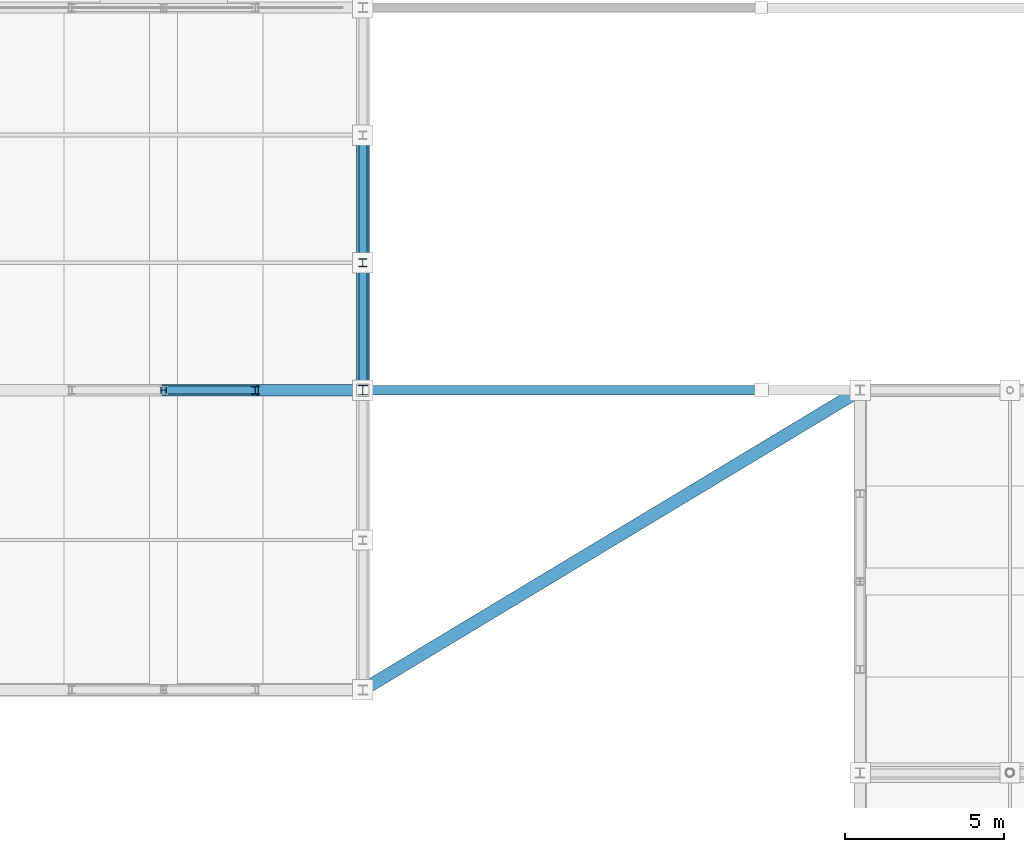
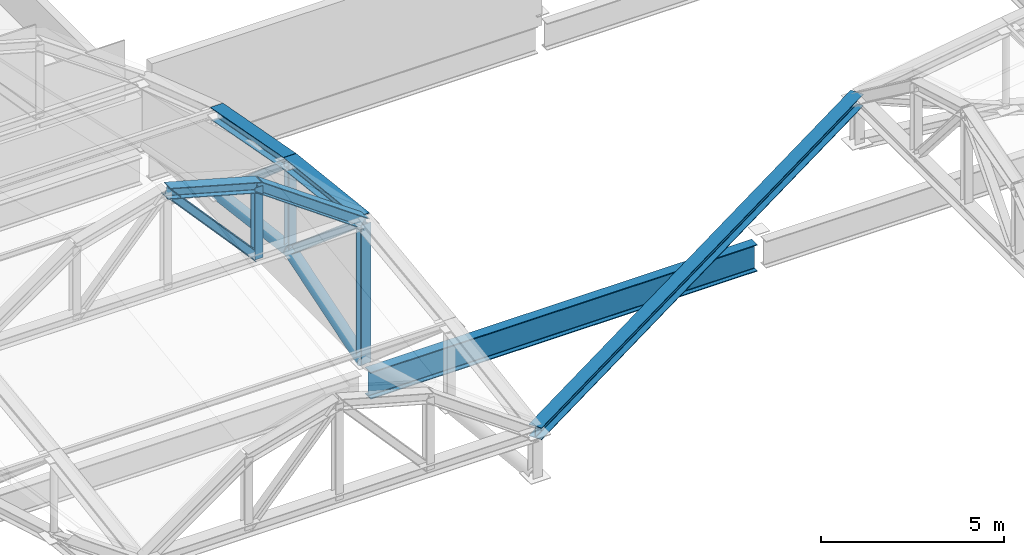
# One storey, part 71 of 117: 13 members, 1 beam.
"""IFC4 building model written with IfcOpenShell, lengths in metres."""

from ifc_helpers import new_model, si_unit, direction, frame, origin, origin_2d, place, context, subcontext, project, spatial, hollow_circle, i_section, extrude, material, material_profile, profile_set, type_object, element, save


model = new_model("IFC4")

# Units and contexts
model_context = context("Model", 3, precision=1e-05, world=origin(), true_north=direction((0.0, 1.0)))
body_context = subcontext(model_context, "Body", "Model", "MODEL_VIEW")
ifc_project = project(units=[si_unit("LENGTHUNIT", "METRE"), si_unit("AREAUNIT", "SQUARE_METRE"), si_unit("VOLUMEUNIT", "CUBIC_METRE"), si_unit("PLANEANGLEUNIT", "RADIAN"), si_unit("MASSUNIT", "GRAM", prefix="KILO")], contexts=[model_context])

# Site, building, storey
site_placement = place(None, origin())
site = spatial("IfcSite", under=ifc_project, at=site_placement, CompositionType="ELEMENT")
building_placement = place(site_placement, origin())
building = spatial("IfcBuilding", under=site, at=building_placement, Name="Kazenohara Klinker Stadium", CompositionType="ELEMENT")
storey_placement = place(building_placement, frame((0.0, 0.0, 31.199951171875)))
storey = spatial("IfcBuildingStorey", under=building, at=storey_placement, Name="RF", CompositionType="ELEMENT", Elevation=31.199951171875)

# Members
ifc_material = material(Name="Steel S355", Category="steel")
ifc_material_profile_1 = material_profile(ifc_material, i_section(OverallWidth=0.25, OverallDepth=0.25, WebThickness=0.009033203125, FlangeThickness=0.013916015625, FilletRadius=0.012939453125, at=origin_2d()), Name="H-250x250x9x14")
ifc_profile_set_1 = profile_set([ifc_material_profile_1], Name="Steel S355")
member_type_1 = type_object("IfcMemberType", Name="MEM-BRC02", PredefinedType="BRACE", material=ifc_profile_set_1)
member_1_placement = place(storey_placement, frame((150.0, 140.0, 0.75), z_axis=(0.0, -0.757253091298, 0.653121547432), x_axis=(1.0, 0.0, 0.0)))
element("IfcMember", 1, at=member_1_placement, inside=storey, type_object=member_type_1, Name="ROOF TRUSS RT-N08 web diagonal 2", PredefinedType="BRACE", context=body_context, shape_type="SweptSolid", body=[
    extrude(i_section(OverallWidth=0.25, OverallDepth=0.25, WebThickness=0.009033203125, FlangeThickness=0.013916015625, FilletRadius=0.012939453125, at=origin_2d()), origin(), (0.0, 0.0, 1.0), 5.2822265625),
])
member_2_placement = place(storey_placement, frame((150.0, 136.0, 1.25), z_axis=(0.0, -0.761925548551, 0.647664618815), x_axis=(1.0, 0.0, 0.0)))
element("IfcMember", 2, at=member_2_placement, inside=storey, type_object=member_type_1, Name="ROOF TRUSS RT-N08 web diagonal 3", PredefinedType="BRACE", context=body_context, shape_type="SweptSolid", body=[
    extrude(i_section(OverallWidth=0.25, OverallDepth=0.25, WebThickness=0.009033203125, FlangeThickness=0.013916015625, FilletRadius=0.012939453125, at=origin_2d()), origin(), (0.0, 0.0, 1.0), 5.249755859375),
])
ifc_material_profile_2 = material_profile(ifc_material, i_section(OverallWidth=0.39990234375, OverallDepth=0.39990234375, WebThickness=0.012939453125, FlangeThickness=0.02099609375, FilletRadius=0.02197265625, at=origin_2d()), Name="H-400x400x13x21")
ifc_profile_set_2 = profile_set([ifc_material_profile_2], Name="Steel S355")
member_type_2 = type_object("IfcMemberType", Name="MEM-CHD01", PredefinedType="CHORD", material=ifc_profile_set_2)
member_3_placement = place(storey_placement, frame((150.0, 140.0, 3.449951171875), z_axis=(0.0, -0.982872186934, 0.18428853505), x_axis=(1.0, 0.0, 0.0)))
element("IfcMember", 3, at=member_3_placement, inside=storey, type_object=member_type_2, Name="ROOF TRUSS RT-N08 top arched chord 2", PredefinedType="CHORD", context=body_context, shape_type="SweptSolid", body=[
    extrude(i_section(OverallWidth=0.39990234375, OverallDepth=0.39990234375, WebThickness=0.012939453125, FlangeThickness=0.02099609375, FilletRadius=0.02197265625, at=origin_2d()), origin(), (0.0, 0.0, 1.0), 4.06982421875),
])
member_4_placement = place(storey_placement, frame((150.0, 136.0, 4.199951171875), z_axis=(0.0, -0.993725924527, 0.111842688283), x_axis=(1.0, 0.0, 0.0)))
element("IfcMember", 4, at=member_4_placement, inside=storey, type_object=member_type_2, Name="ROOF TRUSS RT-N08 top arched chord 3", PredefinedType="CHORD", context=body_context, shape_type="SweptSolid", body=[
    extrude(i_section(OverallWidth=0.39990234375, OverallDepth=0.39990234375, WebThickness=0.012939453125, FlangeThickness=0.02099609375, FilletRadius=0.02197265625, at=origin_2d()), origin(), (0.0, 0.0, 1.0), 4.025146484375),
])
member_5_placement = place(storey_placement, frame((150.0, 122.60009765625, 3.300048828125), z_axis=(0.856526286742, 0.516103400609, 0.0), x_axis=(-0.516103400609, 0.856526286742, 0.0)))
element("IfcMember", 5, at=member_5_placement, inside=storey, type_object=member_type_2, Name="Inner tension ring chord TC01 segment 16", PredefinedType="CHORD", context=body_context, shape_type="SweptSolid", body=[
    extrude(i_section(OverallWidth=0.39990234375, OverallDepth=0.39990234375, WebThickness=0.012939453125, FlangeThickness=0.02099609375, FilletRadius=0.02197265625, at=origin_2d()), origin(), (0.0, 0.0, 1.0), 18.213134765625),
])
ifc_material_profile_3 = material_profile(ifc_material, i_section(OverallWidth=0.35009765625, OverallDepth=0.35009765625, WebThickness=0.011962890625, FlangeThickness=0.01904296875, FilletRadius=0.012939453125, at=origin_2d()), Name="H-350x350x12x19")
ifc_profile_set_3 = profile_set([ifc_material_profile_3], Name="Steel S355")
member_type_3 = type_object("IfcMemberType", Name="MEM-CHD02", PredefinedType="CHORD", material=ifc_profile_set_3)
member_6_placement = place(storey_placement, frame((143.75, 132.0, 7.85009765625), z_axis=(0.963393567269, 0.0, -0.268091093745), x_axis=(0.0, 1.0, 0.0)))
element("IfcMember", 6, at=member_6_placement, inside=storey, type_object=member_type_3, Name="Barrel arch top rib TC02 N-07-N3-S3", PredefinedType="CHORD", context=body_context, shape_type="SweptSolid", body=[
    extrude(i_section(OverallWidth=0.35009765625, OverallDepth=0.35009765625, WebThickness=0.011962890625, FlangeThickness=0.01904296875, FilletRadius=0.012939453125, at=origin_2d()), origin(), (0.0, 0.0, 1.0), 2.984130859375),
])
member_7_placement = place(storey_placement, frame((146.625, 132.0, 7.050048828125), z_axis=(0.814966461491, 0.0, -0.579508124744), x_axis=(0.0, 1.0, 0.0)))
element("IfcMember", 7, at=member_7_placement, inside=storey, type_object=member_type_3, Name="Barrel arch top rib TC02 N-07-N3-S4", PredefinedType="CHORD", context=body_context, shape_type="SweptSolid", body=[
    extrude(i_section(OverallWidth=0.35009765625, OverallDepth=0.35009765625, WebThickness=0.011962890625, FlangeThickness=0.01904296875, FilletRadius=0.012939453125, at=origin_2d()), origin(), (0.0, 0.0, 1.0), 4.141357421875),
])
ifc_material_profile_4 = material_profile(ifc_material, hollow_circle(Radius=0.203125, WallThickness=0.011962890625, at=origin_2d()), Name="CHS-406.4x12")
ifc_profile_set_4 = profile_set([ifc_material_profile_4], Name="Steel S355")
member_type_4 = type_object("IfcMemberType", Name="MEM-CHD03", PredefinedType="CHORD", material=ifc_profile_set_4)
member_8_placement = place(storey_placement, frame((150.0, 140.0, 0.75), z_axis=(0.0, -0.992277876714, 0.124034734589), x_axis=(1.0, 0.0, 0.0)))
element("IfcMember", 8, at=member_8_placement, inside=storey, type_object=member_type_4, Name="ROOF TRUSS RT-N08 bottom arched chord 2", PredefinedType="CHORD", context=body_context, shape_type="SweptSolid", body=[
    extrude(hollow_circle(Radius=0.203125, WallThickness=0.011962890625, at=origin_2d()), origin(), (0.0, 0.0, 1.0), 4.03125),
])
member_9_placement = place(storey_placement, frame((150.0, 136.0, 1.25), z_axis=(0.0, -0.953112016541, -0.302617719119), x_axis=(1.0, 0.0, 0.0)))
element("IfcMember", 9, at=member_9_placement, inside=storey, type_object=member_type_4, Name="ROOF TRUSS RT-N08 bottom arched chord 3", PredefinedType="CHORD", context=body_context, shape_type="SweptSolid", body=[
    extrude(hollow_circle(Radius=0.203125, WallThickness=0.011962890625, at=origin_2d()), origin(), (0.0, 0.0, 1.0), 4.19677734375),
])
ifc_material_profile_5 = material_profile(ifc_material, i_section(OverallWidth=0.300048828125, OverallDepth=0.300048828125, WebThickness=0.010009765625, FlangeThickness=0.014892578125, FilletRadius=0.012939453125, at=origin_2d()), Name="H-300x300x10x15")
ifc_profile_set_5 = profile_set([ifc_material_profile_5], Name="Steel S355")
member_type_5 = type_object("IfcMemberType", Name="MEM-STR01", PredefinedType="STRUT", material=ifc_profile_set_5)
member_10_placement = place(storey_placement, frame((150.0, 132.0, -0.02001953125), z_axis=(0.0, 0.0, 1.0), x_axis=(1.0, 0.0, 0.0)))
element("IfcMember", 10, at=member_10_placement, inside=storey, type_object=member_type_5, Name="ROOF TRUSS RT-N08 web post 4", PredefinedType="STRUT", context=body_context, shape_type="SweptSolid", body=[
    extrude(i_section(OverallWidth=0.300048828125, OverallDepth=0.300048828125, WebThickness=0.010009765625, FlangeThickness=0.014892578125, FilletRadius=0.012939453125, at=origin_2d()), origin(), (0.0, 0.0, 1.0), 4.670166015625),
])
ifc_material_profile_6 = material_profile(ifc_material, i_section(OverallWidth=0.25, OverallDepth=0.25, WebThickness=0.009033203125, FlangeThickness=0.013916015625, FilletRadius=0.012939453125, at=origin_2d()), Name="H-250x250x9x14")
ifc_profile_set_6 = profile_set([ifc_material_profile_6], Name="Steel S355")
member_type_6 = type_object("IfcMemberType", Name="MEM-STR02", PredefinedType="STRUT", material=ifc_profile_set_6)
member_11_placement = place(storey_placement, frame((150.0, 136.0, 1.25), z_axis=(0.0, 0.0, 1.0), x_axis=(1.0, 0.0, 0.0)))
element("IfcMember", 11, at=member_11_placement, inside=storey, type_object=member_type_6, Name="ROOF TRUSS RT-N08 web post 3", PredefinedType="STRUT", context=body_context, shape_type="SweptSolid", body=[
    extrude(i_section(OverallWidth=0.25, OverallDepth=0.25, WebThickness=0.009033203125, FlangeThickness=0.013916015625, FilletRadius=0.012939453125, at=origin_2d()), origin(), (0.0, 0.0, 1.0), 2.949951171875),
])
member_12_placement = place(storey_placement, frame((146.625, 132.0, 4.650146484375), z_axis=(0.0, 0.0, 1.0), x_axis=(1.0, 0.0, 0.0)))
element("IfcMember", 12, at=member_12_placement, inside=storey, type_object=member_type_6, Name="Barrel arch web post TS02 N-07-N3-P3", PredefinedType="STRUT", context=body_context, shape_type="SweptSolid", body=[
    extrude(i_section(OverallWidth=0.25, OverallDepth=0.25, WebThickness=0.009033203125, FlangeThickness=0.013916015625, FilletRadius=0.012939453125, at=origin_2d()), origin(), (0.0, 0.0, 1.0), 2.39990234375),
])
member_13_placement = place(storey_placement, frame((146.625, 132.0, 4.650146484375), z_axis=(-0.668327970369, 0.0, 0.74386673808), x_axis=(0.0, -1.0, 0.0)))
element("IfcMember", 13, at=member_13_placement, inside=storey, type_object=member_type_6, Name="Barrel arch web diagonal TS02 N-07-N3-D2", PredefinedType="STRUT", context=body_context, shape_type="SweptSolid", body=[
    extrude(i_section(OverallWidth=0.25, OverallDepth=0.25, WebThickness=0.009033203125, FlangeThickness=0.013916015625, FilletRadius=0.012939453125, at=origin_2d()), origin(), (0.0, 0.0, 1.0), 4.3017578125),
])

# Beam
ifc_material_profile_7 = material_profile(ifc_material, i_section(OverallWidth=0.300048828125, OverallDepth=0.89990234375, WebThickness=0.01611328125, FlangeThickness=0.028076171875, FilletRadius=0.02197265625, at=origin_2d()), Name="H-900x300x16x28")
ifc_profile_set_7 = profile_set([ifc_material_profile_7], Name="Steel S355")
beam_type = type_object("IfcBeamType", Name="RING-RB01", PredefinedType="USERDEFINED", material=ifc_profile_set_7)
beam_placement = place(storey_placement, frame((150.139892578125, 132.0, -0.820068359375), z_axis=(1.0, 0.0, 0.0), x_axis=(0.0, 1.0, 0.0)))
element("IfcBeam", 14, at=beam_placement, inside=storey, type_object=beam_type, Name="Roof ring beam RB01 N-IN 13-14", ObjectType="RING BEAM", PredefinedType="USERDEFINED", context=body_context, shape_type="SweptSolid", body=[
    extrude(i_section(OverallWidth=0.300048828125, OverallDepth=0.89990234375, WebThickness=0.01611328125, FlangeThickness=0.028076171875, FilletRadius=0.02197265625, at=origin_2d()), origin(), (0.0, 0.0, 1.0), 12.22021484375),
])

save(model, "model.ifc")
